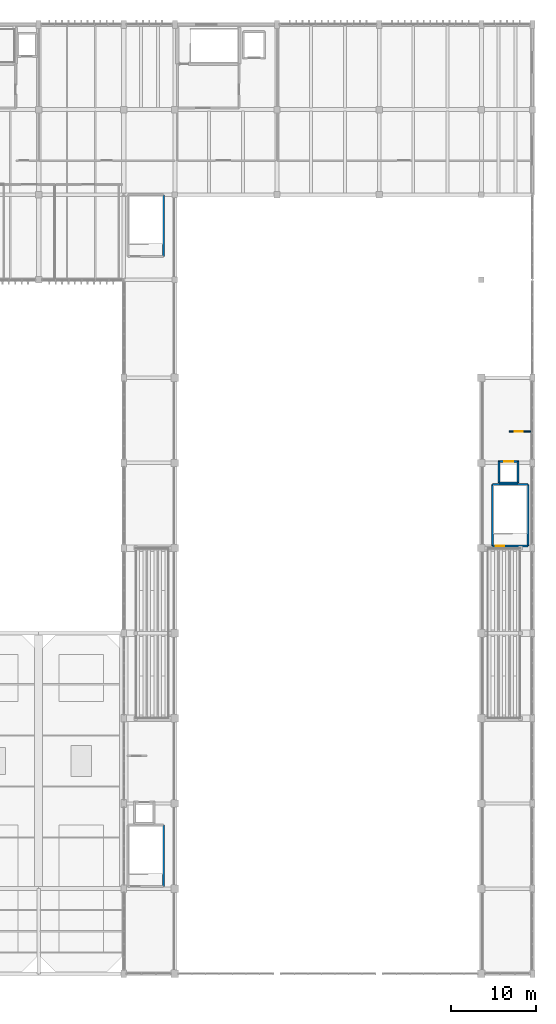
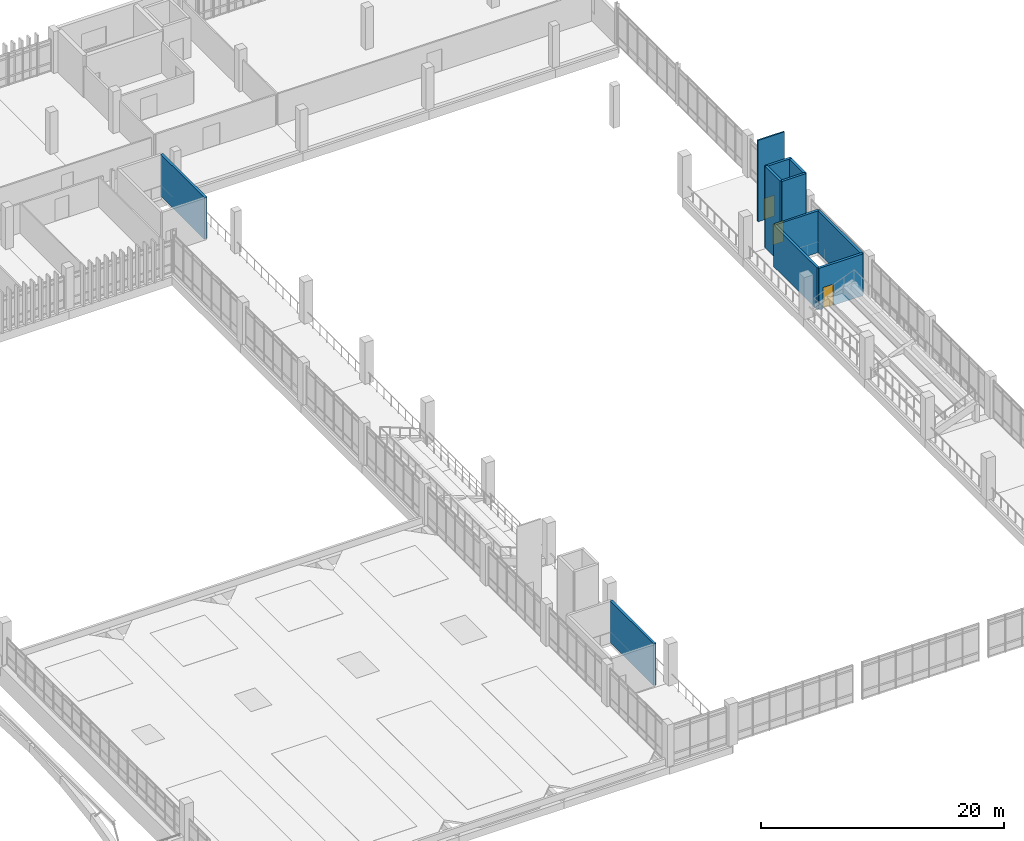
# One storey, part 150 of 161: 11 walls, 3 doors, 3 openings.
"""IFC4 building model written with IfcOpenShell, lengths in metres."""

from ifc_helpers import new_model, si_unit, direction, frame, frame_2d, origin, place, context, subcontext, project, spatial, rectangle, extrude, material, layer, layer_set, type_object, element, fill, save


model = new_model("IFC4")

# Units and contexts
model_context = context("Model", 3, precision=1e-05, world=origin(), true_north=direction((0.0, 1.0)))
body_context = subcontext(model_context, "Body", "Model", "MODEL_VIEW")
ifc_project = project(units=[si_unit("LENGTHUNIT", "METRE"), si_unit("AREAUNIT", "SQUARE_METRE"), si_unit("VOLUMEUNIT", "CUBIC_METRE"), si_unit("PLANEANGLEUNIT", "RADIAN"), si_unit("MASSUNIT", "GRAM", prefix="KILO")], contexts=[model_context])

# Site, building, storey
site_placement = place(None, origin())
site = spatial("IfcSite", under=ifc_project, at=site_placement, CompositionType="ELEMENT")
building_placement = place(site_placement, origin())
building = spatial("IfcBuilding", under=site, at=building_placement, Name="Mersad Railyard Sports Hall", CompositionType="ELEMENT")
storey_placement = place(building_placement, frame((0.0, 0.0, 4.800048828125)))
storey = spatial("IfcBuildingStorey", under=building, at=storey_placement, Name="L01", CompositionType="ELEMENT", Elevation=4.800048828125)

# Wall, opening, door
ifc_material_1 = material(Name="Gypsum plasterboard", Category="gypsum")
ifc_layer_1 = layer(ifc_material_1, 0.139892578125)
ifc_layer_set_1 = layer_set([ifc_layer_1], Name="Gypsum plasterboard")
wall_type_1 = type_object("IfcWallType", Name="ARC-WL-PT03", PredefinedType="PARTITIONING", material=ifc_layer_set_1)
wall_1_placement = place(storey_placement, frame((176.300048828125, 67.199951171875, 0.0), z_axis=(0.0, 0.0, 1.0), x_axis=(1.0, 0.0, 0.0)))
wall_1 = element("IfcWall", 1, at=wall_1_placement, inside=storey, type_object=wall_type_1, Name="Interior wall PT03-0376", PredefinedType="PARTITIONING", context=body_context, shape_type="SweptSolid", body=[
    extrude(rectangle(XDim=2.52001953125, YDim=0.139892578125, at=frame_2d((1.260009765625, 0.0))), origin(), (0.0, 0.0, 1.0), 8.169921875),
])
opening_1_placement = place(wall_1_placement, frame((0.60009765625, 0.0, 0.0)))
opening_1 = element("IfcOpeningElement", 2, at=opening_1_placement, cuts=wall_1, Name="Opening FD06", PredefinedType="OPENING", context=body_context, shape_type="SweptSolid", body=[
    extrude(rectangle(XDim=0.97998046875, YDim=2.10009765625, at=frame_2d((0.489990234375, 1.050048828125))), frame((0.0, 0.079833984375, 0.0), z_axis=(0.0, -1.0, 0.0), x_axis=(1.0, 0.0, 0.0)), (0.0, 0.0, 1.0), 0.159912109375),
])
ifc_material_2 = material(Name="Steel S355", Category="steel")
door_type_1 = type_object("IfcDoorType", Name="ARC-DR-FD06", OperationType="NOTDEFINED", PredefinedType="DOOR", material=ifc_material_2)
door_1_placement = place(opening_1_placement, origin())
door_1 = element("IfcDoor", 3, at=door_1_placement, inside=storey, type_object=door_type_1, Name="Show court east lift lobby door FD06-0167", OperationType="SINGLE_SWING_RIGHT", OverallHeight=2.10009765625, OverallWidth=0.97998046875, PredefinedType="DOOR", context=body_context, shape_type="SweptSolid", body=[
    extrude(rectangle(XDim=0.97998046875, YDim=2.10009765625, at=frame_2d((0.489990234375, 1.050048828125))), frame((0.0, 0.02490234375, 0.0), z_axis=(0.0, -1.0, 0.0), x_axis=(1.0, 0.0, 0.0)), (0.0, 0.0, 1.0), 0.050048828125),
])
fill(opening_1, door_1)

# Walls
ifc_material_3 = material(Name="Concrete C40/50", Category="concrete")
ifc_layer_2 = layer(ifc_material_3, 0.239990234375)
ifc_layer_set_2 = layer_set([ifc_layer_2], Name="Concrete C40/50")
wall_type_2 = type_object("IfcWallType", Name="STR-WL-SW03", PredefinedType="SHEAR", material=ifc_layer_set_2)
for number, where, z_axis, x_axis, name in (
    (4, (175.074951171875, 61.14990234375, 0.0), (0.0, 0.0, 1.0), (0.0, 1.0, 0.0), "Interior wall SW03-0103"),
    (5, (177.324951171875, 63.64990234375, 0.0), (0.0, 0.0, 1.0), (0.0, -1.0, 0.0), "Interior wall SW03-0104"),
):
    element("IfcWall", number, at=place(storey_placement, frame(where, z_axis=z_axis, x_axis=x_axis)), inside=storey, type_object=wall_type_2, Name=name, PredefinedType="SHEAR", context=body_context, shape_type="SweptSolid", body=[
        extrude(rectangle(XDim=2.5, YDim=0.239990234375, at=frame_2d((1.25, 0.0))), origin(), (0.0, 0.0, 1.0), 8.179931640625),
    ])
wall_2_placement = place(storey_placement, frame((177.324951171875, 61.14990234375, 0.0), z_axis=(0.0, 0.0, 1.0), x_axis=(-1.0, 0.0, 0.0)))
element("IfcWall", 6, at=wall_2_placement, inside=storey, type_object=wall_type_2, Name="Interior wall SW03-0105", PredefinedType="SHEAR", context=body_context, shape_type="SweptSolid", body=[
    extrude(rectangle(XDim=2.25, YDim=0.239990234375, at=frame_2d((1.125, 0.0))), origin(), (0.0, 0.0, 1.0), 8.179931640625),
])

# Wall, opening, door
wall_3_placement = place(storey_placement, frame((174.955078125, 63.64990234375, 0.0), z_axis=(0.0, 0.0, 1.0), x_axis=(1.0, 0.0, 0.0)))
wall_3 = element("IfcWall", 7, at=wall_3_placement, inside=storey, type_object=wall_type_2, Name="Interior wall SW03-0106", PredefinedType="SHEAR", context=body_context, shape_type="SweptSolid", body=[
    extrude(rectangle(XDim=2.489990234375, YDim=0.239990234375, at=frame_2d((1.2451171875, 0.0))), origin(), (0.0, 0.0, 1.0), 8.179931640625),
])
opening_2_placement = place(wall_3_placement, frame((0.719970703125, 0.0, 0.0)))
opening_2 = element("IfcOpeningElement", 8, at=opening_2_placement, cuts=wall_3, Name="Opening LD04", PredefinedType="OPENING", context=body_context, shape_type="SweptSolid", body=[
    extrude(rectangle(XDim=1.050048828125, YDim=2.10009765625, at=frame_2d((0.52490234375, 1.050048828125))), frame((0.0, 0.1298828125, 0.0), z_axis=(0.0, -1.0, 0.0), x_axis=(1.0, 0.0, 0.0)), (0.0, 0.0, 1.0), 0.260009765625),
])
door_type_2 = type_object("IfcDoorType", Name="ARC-DR-LD04", OperationType="NOTDEFINED", PredefinedType="USERDEFINED", material=ifc_material_2)
door_2_placement = place(opening_2_placement, origin())
door_2 = element("IfcDoor", 9, at=door_2_placement, inside=storey, type_object=door_type_2, Name="Lift PL-06 landing door LD04-0028", ObjectType="LANDING DOOR", OperationType="DOUBLE_DOOR_SLIDING", OverallHeight=2.10009765625, OverallWidth=1.050048828125, PredefinedType="USERDEFINED", context=body_context, shape_type="SweptSolid", body=[
    extrude(rectangle(XDim=1.050048828125, YDim=2.10009765625, at=frame_2d((0.52490234375, 1.050048828125))), frame((0.0, 0.02490234375, 0.0), z_axis=(0.0, -1.0, 0.0), x_axis=(1.0, 0.0, 0.0)), (0.0, 0.0, 1.0), 0.050048828125),
])
fill(opening_2, door_2)

# Walls
for number, where, z_axis, x_axis, name in (
    (10, (135.679931640625, 13.75, 0.0), (0.0, 0.0, 1.0), (0.0, 1.0, 0.0), "Interior wall SW03-0353"),
    (11, (174.320068359375, 53.75, 0.0), (0.0, 0.0, 1.0), (0.0, 1.0, 0.0), "Interior wall SW03-0360"),
    (12, (178.47998046875, 53.75, 0.0), (0.0, 0.0, 1.0), (0.0, 1.0, 0.0), "Interior wall SW03-0361"),
):
    element("IfcWall", number, at=place(storey_placement, frame(where, z_axis=z_axis, x_axis=x_axis)), inside=storey, type_object=wall_type_2, Name=name, PredefinedType="SHEAR", context=body_context, shape_type="SweptSolid", body=[
        extrude(rectangle(XDim=7.199951171875, YDim=0.239990234375, at=frame_2d((3.60009765625, 0.0))), origin(), (0.0, 0.0, 1.0), 4.199951171875),
    ])
wall_4_placement = place(storey_placement, frame((174.320068359375, 60.949951171875, 0.0), z_axis=(0.0, 0.0, 1.0), x_axis=(1.0, 0.0, 0.0)))
element("IfcWall", 13, at=wall_4_placement, inside=storey, type_object=wall_type_2, Name="Interior wall SW03-0362", PredefinedType="SHEAR", context=body_context, shape_type="SweptSolid", body=[
    extrude(rectangle(XDim=4.159912109375, YDim=0.239990234375, at=frame_2d((2.080078125, 0.0))), origin(), (0.0, 0.0, 1.0), 4.199951171875),
])

# Wall, opening, door
wall_5_placement = place(storey_placement, frame((174.320068359375, 53.75, 0.0), z_axis=(0.0, 0.0, 1.0), x_axis=(1.0, 0.0, 0.0)))
wall_5 = element("IfcWall", 14, at=wall_5_placement, inside=storey, type_object=wall_type_2, Name="Interior wall SW03-0363", PredefinedType="SHEAR", context=body_context, shape_type="SweptSolid", body=[
    extrude(rectangle(XDim=4.159912109375, YDim=0.239990234375, at=frame_2d((2.080078125, 0.0))), origin(), (0.0, 0.0, 1.0), 4.199951171875),
])
opening_3_placement = place(wall_5_placement, frame((0.35009765625, 0.0, 0.0)))
opening_3 = element("IfcOpeningElement", 15, at=opening_3_placement, cuts=wall_5, Name="Opening FD02", PredefinedType="OPENING", context=body_context, shape_type="SweptSolid", body=[
    extrude(rectangle(XDim=1.0, YDim=2.14990234375, at=frame_2d((0.5, 1.074951171875))), frame((0.0, 0.1298828125, 0.0), z_axis=(0.0, -1.0, 0.0), x_axis=(1.0, 0.0, 0.0)), (0.0, 0.0, 1.0), 0.260009765625),
])
door_type_3 = type_object("IfcDoorType", Name="ARC-DR-FD02", OperationType="NOTDEFINED", PredefinedType="DOOR", material=ifc_material_2)
door_3_placement = place(opening_3_placement, origin())
door_3 = element("IfcDoor", 16, at=door_3_placement, inside=storey, type_object=door_type_3, Name="C6 stair door FD02-0160", OperationType="SINGLE_SWING_LEFT", OverallHeight=2.14990234375, OverallWidth=1.0, PredefinedType="DOOR", context=body_context, shape_type="SweptSolid", body=[
    extrude(rectangle(XDim=1.0, YDim=2.14990234375, at=frame_2d((0.5, 1.074951171875))), frame((0.0, 0.02490234375, 0.0), z_axis=(0.0, -1.0, 0.0), x_axis=(1.0, 0.0, 0.0)), (0.0, 0.0, 1.0), 0.050048828125),
])
fill(opening_3, door_3)

# Wall
wall_6_placement = place(storey_placement, frame((135.679931640625, 87.75, 0.0), z_axis=(0.0, 0.0, 1.0), x_axis=(0.0, 1.0, 0.0)))
element("IfcWall", 17, at=wall_6_placement, inside=storey, type_object=wall_type_2, Name="Interior wall SW03-0369", PredefinedType="SHEAR", context=body_context, shape_type="SweptSolid", body=[
    extrude(rectangle(XDim=7.199951171875, YDim=0.239990234375, at=frame_2d((3.60009765625, 0.0))), origin(), (0.0, 0.0, 1.0), 4.199951171875),
])

save(model, "model.ifc")
